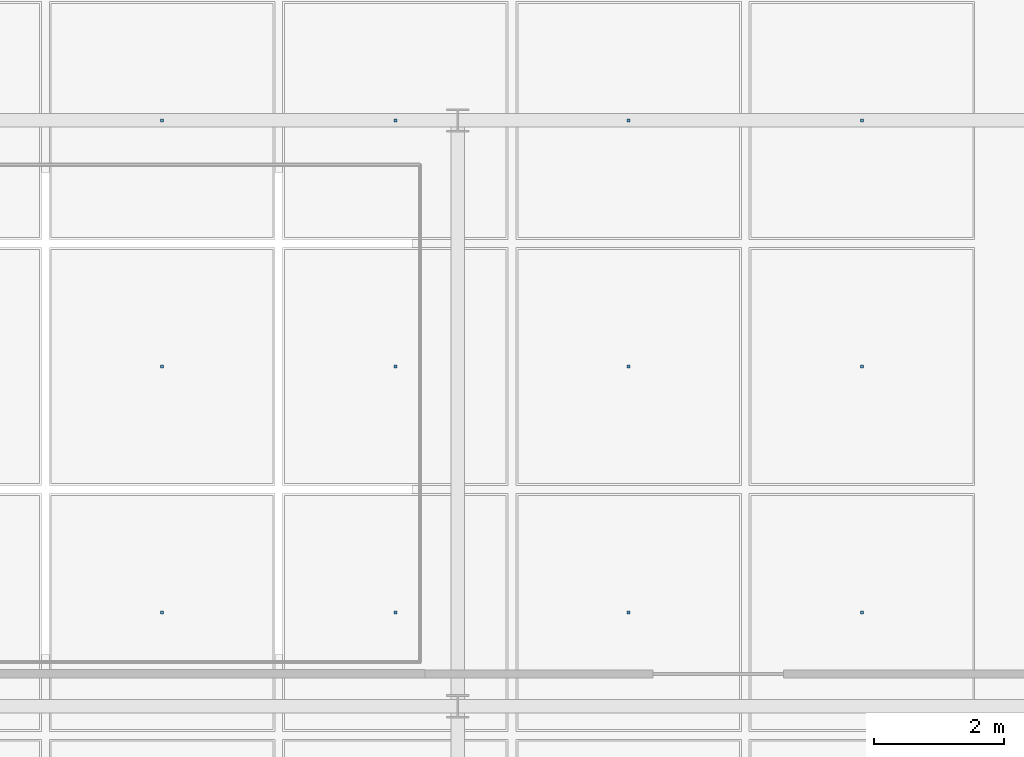
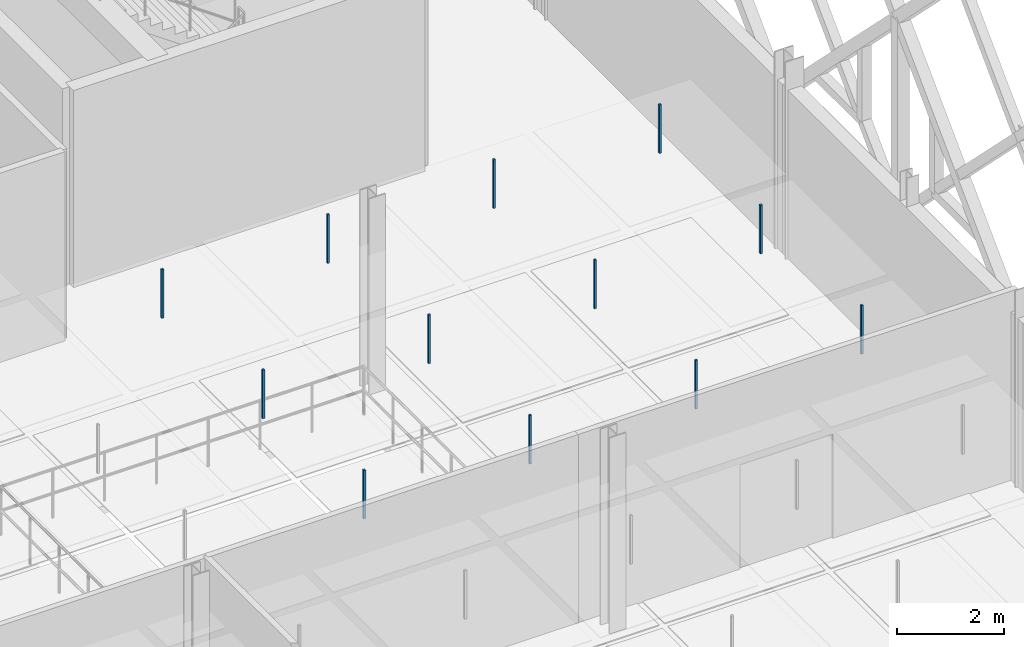
# One storey, part 102 of 140: 12 discrete accessories.
"""IFC4 building model written with IfcOpenShell, lengths in metres."""

from ifc_helpers import new_model, si_unit, direction, frame, origin, origin_2d, place, context, subcontext, project, spatial, rectangle, extrude, material, type_object, element, save


model = new_model("IFC4")

# Units and contexts
model_context = context("Model", 3, precision=1e-05, world=origin(), true_north=direction((0.0, 1.0)))
body_context = subcontext(model_context, "Body", "Model", "MODEL_VIEW")
ifc_project = project(units=[si_unit("LENGTHUNIT", "METRE"), si_unit("AREAUNIT", "SQUARE_METRE"), si_unit("VOLUMEUNIT", "CUBIC_METRE"), si_unit("PLANEANGLEUNIT", "RADIAN"), si_unit("MASSUNIT", "GRAM", prefix="KILO"), si_unit("THERMODYNAMICTEMPERATUREUNIT", "KELVIN"), si_unit("POWERUNIT", "WATT")], contexts=[model_context])

# Site, building, storey
site_placement = place(None, origin())
site = spatial("IfcSite", under=ifc_project, at=site_placement, CompositionType="ELEMENT")
building_placement = place(site_placement, origin())
building = spatial("IfcBuilding", under=site, at=building_placement, Name="Tallowbark Science Centre", CompositionType="ELEMENT")
storey_placement = place(building_placement, frame((0.0, 0.0, 9.89990234375)))
storey = spatial("IfcBuildingStorey", under=building, at=storey_placement, Name="L02", CompositionType="ELEMENT", Elevation=9.89990234375)

# Discrete accessories
ifc_material = material(Name="Galvanised Steel Grade C350L0 (350 MPa)", Category="steel")
discrete_accessory_type = type_object("IfcDiscreteAccessoryType", Name="ACC-CLG-HNG", PredefinedType="BRACKET", material=ifc_material)
for number, where, z_axis, x_axis, name in (
    (1, (89.958251953125, 14.9443359375, 3.20947265625), (0.0, 0.0, 1.0), (1.0, 0.0, 0.0), "Ceiling Hanger Bracket L02-830"),
    (2, (89.958251953125, 18.72216796875, 3.20947265625), (0.0, 0.0, 1.0), (1.0, 0.0, 0.0), "Ceiling Hanger Bracket L02-831"),
    (3, (89.958251953125, 22.5, 3.20947265625), (0.0, 0.0, 1.0), (1.0, 0.0, 0.0), "Ceiling Hanger Bracket L02-832"),
    (4, (93.541748046875, 14.9443359375, 3.20947265625), (0.0, 0.0, 1.0), (1.0, 0.0, 0.0), "Ceiling Hanger Bracket L02-835"),
    (5, (93.541748046875, 18.72216796875, 3.20947265625), (0.0, 0.0, 1.0), (1.0, 0.0, 0.0), "Ceiling Hanger Bracket L02-836"),
    (6, (93.541748046875, 22.5, 3.20947265625), (0.0, 0.0, 1.0), (1.0, 0.0, 0.0), "Ceiling Hanger Bracket L02-837"),
    (7, (97.125, 14.9443359375, 3.20947265625), (0.0, 0.0, 1.0), (1.0, 0.0, 0.0), "Ceiling Hanger Bracket L02-840"),
    (8, (97.125, 18.72216796875, 3.20947265625), (0.0, 0.0, 1.0), (1.0, 0.0, 0.0), "Ceiling Hanger Bracket L02-841"),
    (9, (97.125, 22.5, 3.20947265625), (0.0, 0.0, 1.0), (1.0, 0.0, 0.0), "Ceiling Hanger Bracket L02-842"),
    (10, (100.708251953125, 14.9443359375, 3.20947265625), (0.0, 0.0, 1.0), (1.0, 0.0, 0.0), "Ceiling Hanger Bracket L02-845"),
    (11, (100.708251953125, 18.72216796875, 3.20947265625), (0.0, 0.0, 1.0), (1.0, 0.0, 0.0), "Ceiling Hanger Bracket L02-846"),
    (12, (100.708251953125, 22.5, 3.20947265625), (0.0, 0.0, 1.0), (1.0, 0.0, 0.0), "Ceiling Hanger Bracket L02-847"),
):
    element("IfcDiscreteAccessory", number, at=place(storey_placement, frame(where, z_axis=z_axis, x_axis=x_axis)), inside=storey, type_object=discrete_accessory_type, Name=name, PredefinedType="BRACKET", context=body_context, shape_type="SweptSolid", body=[
        extrude(rectangle(XDim=0.044921875, YDim=0.044921875, at=origin_2d()), origin(), (0.0, 0.0, 1.0), 1.113525390625),
    ])

save(model, "model.ifc")
